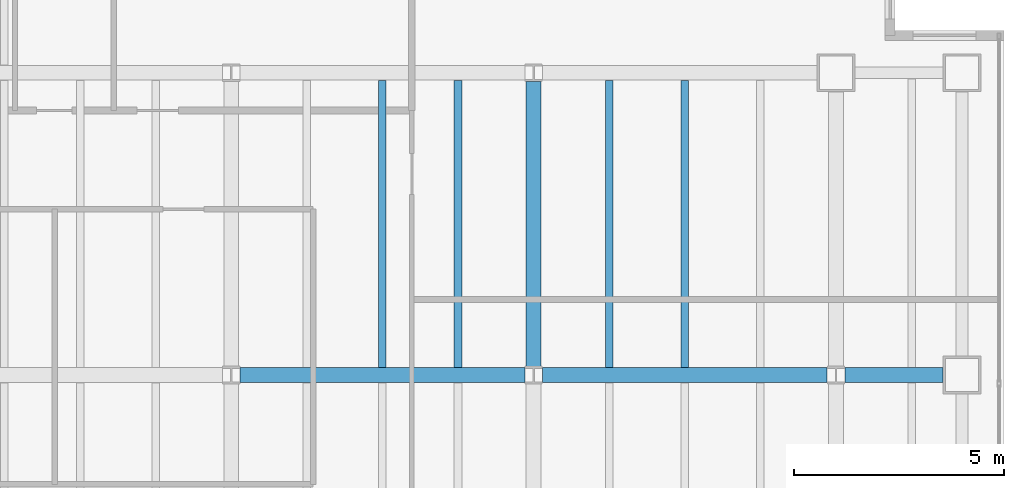
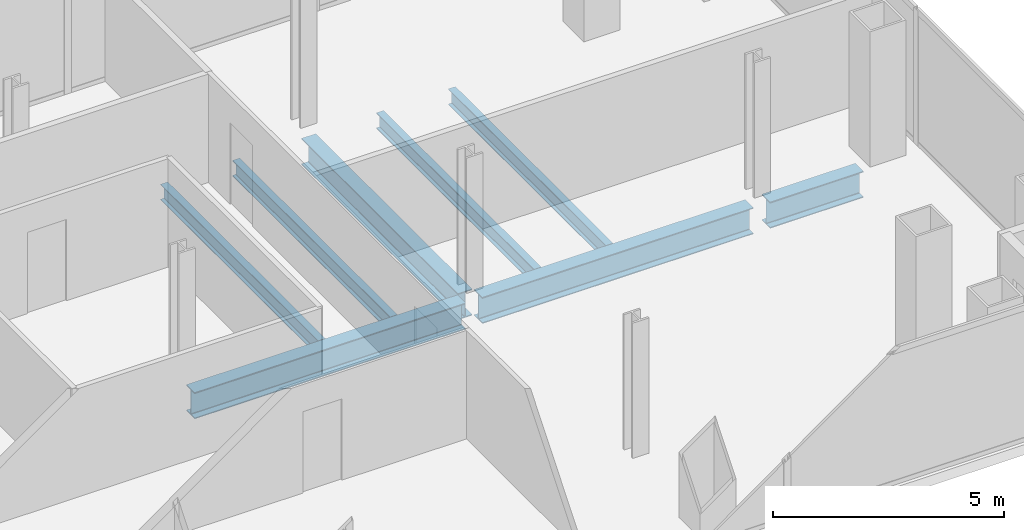
# One storey, part 12 of 23: 8 beams.
"""IFC4 building model written with IfcOpenShell, lengths in metres."""

from ifc_helpers import new_model, si_unit, direction, frame, origin, origin_2d, place, context, subcontext, project, spatial, i_section, extrude, material, material_profile, profile_set, type_object, element, save


model = new_model("IFC4")

# Units and contexts
model_context = context("Model", 3, precision=1e-05, world=origin(), true_north=direction((0.0, 1.0)))
body_context = subcontext(model_context, "Body", "Model", "MODEL_VIEW")
ifc_project = project(units=[si_unit("LENGTHUNIT", "METRE"), si_unit("AREAUNIT", "SQUARE_METRE"), si_unit("VOLUMEUNIT", "CUBIC_METRE"), si_unit("PLANEANGLEUNIT", "RADIAN"), si_unit("MASSUNIT", "GRAM", prefix="KILO")], contexts=[model_context])

# Site, building, storey
site_placement = place(None, origin())
site = spatial("IfcSite", under=ifc_project, at=site_placement, CompositionType="ELEMENT")
building_placement = place(site_placement, origin())
building = spatial("IfcBuilding", under=site, at=building_placement, Name="Cobrela Telecom Tower", CompositionType="ELEMENT")
storey_placement = place(building_placement, frame((0.0, 0.0, 144.550048828125)))
storey = spatial("IfcBuildingStorey", under=building, at=storey_placement, Name="L36", CompositionType="ELEMENT", Elevation=144.550048828125)

# Beams
ifc_material = material(Name="Steel ASTM A992 Grade 50", Category="steel")
ifc_material_profile_1 = material_profile(ifc_material, i_section(OverallWidth=0.35595703125, OverallDepth=0.696044921875, WebThickness=0.015380859375, FlangeThickness=0.024658203125, FilletRadius=0.01806640625, at=origin_2d()), Name="W27X146")
ifc_profile_set_1 = profile_set([ifc_material_profile_1], Name="Steel ASTM A992 Grade 50")
beam_type_1 = type_object("IfcBeamType", Name="BM-GIRD-05", PredefinedType="USERDEFINED", material=ifc_profile_set_1)
for number, where, z_axis, x_axis, name in (
    (1, (29.009521484375, 14.39990234375, -0.6181640625), (1.0, 0.0, 0.0), (0.0, 1.0, 0.0), "L36 Primary Girder X15"),
    (2, (36.20947265625, 14.39990234375, -0.6181640625), (1.0, 0.0, 0.0), (0.0, 1.0, 0.0), "L36 Primary Girder X16"),
):
    element("IfcBeam", number, at=place(storey_placement, frame(where, z_axis=z_axis, x_axis=x_axis)), inside=storey, type_object=beam_type_1, Name=name, ObjectType="GIRDER", PredefinedType="USERDEFINED", context=body_context, shape_type="SweptSolid", body=[
        extrude(i_section(OverallWidth=0.35595703125, OverallDepth=0.696044921875, WebThickness=0.015380859375, FlangeThickness=0.024658203125, FilletRadius=0.01806640625, at=origin_2d()), origin(), (0.0, 0.0, 1.0), 6.781005859375),
    ])
beam_1_placement = place(storey_placement, frame((43.409423828125, 14.39990234375, -0.6181640625), z_axis=(1.0, 0.0, 0.0), x_axis=(0.0, 1.0, 0.0)))
element("IfcBeam", 3, at=beam_1_placement, inside=storey, type_object=beam_type_1, Name="L36 Primary Girder X17", ObjectType="GIRDER", PredefinedType="USERDEFINED", context=body_context, shape_type="SweptSolid", body=[
    extrude(i_section(OverallWidth=0.35595703125, OverallDepth=0.696044921875, WebThickness=0.015380859375, FlangeThickness=0.024658203125, FilletRadius=0.01806640625, at=origin_2d()), origin(), (0.0, 0.0, 1.0), 2.335693359375),
])
beam_2_placement = place(storey_placement, frame((36.0, 14.609619140625, -0.6181640625), z_axis=(0.0, 1.0, 0.0), x_axis=(-1.0, 0.0, 0.0)))
element("IfcBeam", 4, at=beam_2_placement, inside=storey, type_object=beam_type_1, Name="L36 Primary Girder Y51", ObjectType="GIRDER", PredefinedType="USERDEFINED", context=body_context, shape_type="SweptSolid", body=[
    extrude(i_section(OverallWidth=0.35595703125, OverallDepth=0.696044921875, WebThickness=0.015380859375, FlangeThickness=0.024658203125, FilletRadius=0.01806640625, at=origin_2d()), origin(), (0.0, 0.0, 1.0), 6.78076171875),
])
ifc_material_profile_2 = material_profile(ifc_material, i_section(OverallWidth=0.179931640625, OverallDepth=0.4169921875, WebThickness=0.010986328125, FlangeThickness=0.01806640625, FilletRadius=0.011962890625, at=origin_2d()), Name="W16X57")
ifc_profile_set_2 = profile_set([ifc_material_profile_2], Name="Steel ASTM A992 Grade 50")
beam_type_2 = type_object("IfcBeamType", Name="BM-JOIST-04", PredefinedType="JOIST", material=ifc_profile_set_2)
for number, where, z_axis, x_axis, name in (
    (5, (32.39990234375, 14.5830078125, -0.478515625), (0.0, 1.0, 0.0), (-1.0, 0.0, 0.0), "L36 Secondary Composite Floor Beam J30"),
    (6, (34.199951171875, 14.5830078125, -0.478515625), (0.0, 1.0, 0.0), (-1.0, 0.0, 0.0), "L36 Secondary Composite Floor Beam J32"),
    (7, (37.800048828125, 14.5830078125, -0.478515625), (0.0, 1.0, 0.0), (-1.0, 0.0, 0.0), "L36 Secondary Composite Floor Beam J34"),
    (8, (39.60009765625, 14.5830078125, -0.478515625), (0.0, 1.0, 0.0), (-1.0, 0.0, 0.0), "L36 Secondary Composite Floor Beam J36"),
):
    element("IfcBeam", number, at=place(storey_placement, frame(where, z_axis=z_axis, x_axis=x_axis)), inside=storey, type_object=beam_type_2, Name=name, PredefinedType="JOIST", context=body_context, shape_type="SweptSolid", body=[
        extrude(i_section(OverallWidth=0.179931640625, OverallDepth=0.4169921875, WebThickness=0.010986328125, FlangeThickness=0.01806640625, FilletRadius=0.011962890625, at=origin_2d()), origin(), (0.0, 0.0, 1.0), 6.833984375),
    ])

save(model, "model.ifc")
